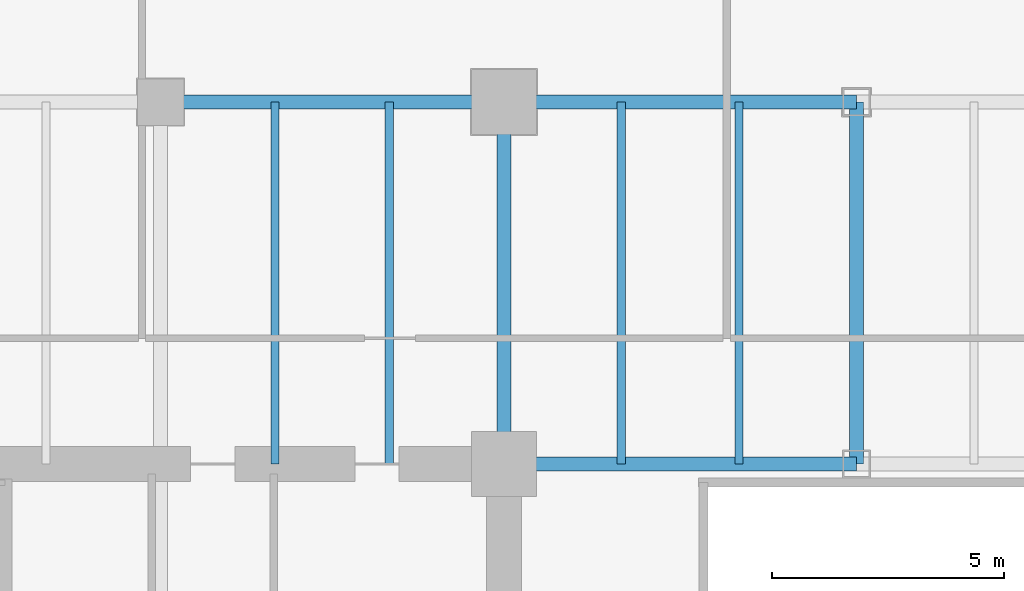
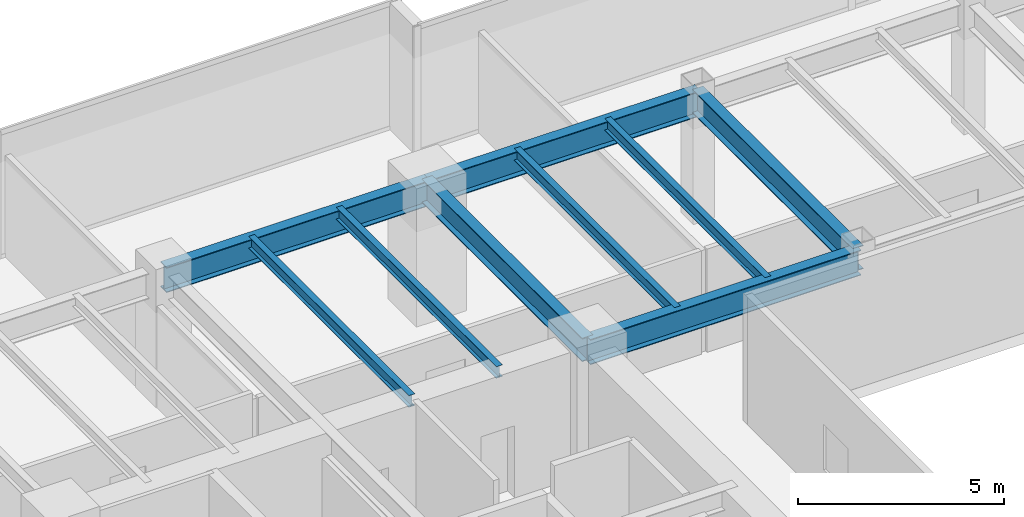
# One storey, part 13 of 36: 9 beams.
"""IFC4 building model written with IfcOpenShell, lengths in metres."""

import ifcopenshell
import ifcopenshell.guid

model = None  # the IFC model being written
_history = None  # IfcOwnerHistory: only IFC2X3 demands one
_inside = {}  # id of a spatial element -> (the spatial element, [elements in it])
_under = {}  # id of a project, library or spatial element -> (it, [spatial elements below it])
_declared = {}  # id of a project -> (the project, [libraries it declares])
_typed = {}  # id of a type object -> (the type object, [elements of that type])
_made_of = {}  # id of a material, layer set ... -> (it, [elements and type objects made of it])


def new_model(schema):
    """Start an empty IFC model of exactly this schema.

    Asked for "IFC4X3", IfcOpenShell would pick the latest addendum, in which some entities
    have other attributes; the version numbers below select the first issue.
    IFC2X3 requires an IfcOwnerHistory on every rooted entity: one is made here for all.
    """
    global model, _history
    if schema == "IFC4X3":
        model = ifcopenshell.file(schema_version=(4, 3, 0, 0))
    else:
        model = ifcopenshell.file(schema=schema)
    _inside.clear()
    _under.clear()
    _declared.clear()
    _typed.clear()
    _made_of.clear()
    _history = None
    if model.schema == "IFC2X3":
        org = make("IfcOrganization", Name="unknown")
        user = make(
            "IfcPersonAndOrganization",
            ThePerson=make("IfcPerson", FamilyName="unknown"),
            TheOrganization=org,
        )
        app = make(
            "IfcApplication",
            ApplicationDeveloper=org,
            Version="unknown",
            ApplicationFullName="unknown",
            ApplicationIdentifier="unknown",
        )
        _history = make(
            "IfcOwnerHistory",
            OwningUser=user,
            OwningApplication=app,
            ChangeAction="ADDED",
            CreationDate=0,
        )
    return model


def make(cls, **values):
    """One entity of the class cls with the attributes given. An attribute that is None is left unset."""
    return model.create_entity(
        cls, **{name: value for name, value in values.items() if value is not None}
    )


def rooted(cls, **values):
    """An entity with a GlobalId (a new one), such as an element, a storey or a relation."""
    return make(cls, GlobalId=ifcopenshell.guid.new(), OwnerHistory=_history, **values)


def si_unit(unit_type, name, prefix=None):
    """IfcSIUnit, for example si_unit("LENGTHUNIT", "METRE", prefix="MILLI")."""
    return make("IfcSIUnit", UnitType=unit_type, Prefix=prefix, Name=name)


def assignment(units):
    """IfcUnitAssignment: the units of a project."""
    return None if units is None else make("IfcUnitAssignment", Units=units)


def point(xyz):
    """IfcCartesianPoint."""
    return None if xyz is None else make("IfcCartesianPoint", Coordinates=xyz)


def direction(xyz):
    """IfcDirection."""
    return None if xyz is None else make("IfcDirection", DirectionRatios=xyz)


def frame(location, z_axis=None, x_axis=None):
    """IfcAxis2Placement3D, a coordinate frame: its origin and axes. An axis left out is left unset."""
    return make(
        "IfcAxis2Placement3D",
        Location=point(location),
        Axis=direction(z_axis),
        RefDirection=direction(x_axis),
    )


def frame_2d(location, x_axis=None):
    """IfcAxis2Placement2D, a coordinate frame in the plane: its origin and x axis."""
    return make(
        "IfcAxis2Placement2D", Location=point(location), RefDirection=direction(x_axis)
    )


def origin():
    """The frame at (0, 0, 0) with its axes left unset."""
    return frame((0.0, 0.0, 0.0))


def origin_2d():
    """The frame at (0, 0) in the plane with its x axis left unset."""
    return frame_2d((0.0, 0.0))


def place(relative_to, where):
    """IfcLocalPlacement: puts the frame where relative to a parent placement (None: the world)."""
    return make(
        "IfcLocalPlacement", PlacementRelTo=relative_to, RelativePlacement=where
    )


def context(
    kind, dimensions, precision=None, world=None, true_north=None, identifier=None
):
    """IfcGeometricRepresentationContext, for example the 3D "Model" context."""
    return make(
        "IfcGeometricRepresentationContext",
        ContextIdentifier=identifier,
        ContextType=kind,
        CoordinateSpaceDimension=dimensions,
        Precision=precision,
        WorldCoordinateSystem=world,
        TrueNorth=true_north,
    )


def subcontext(parent, identifier, kind, view, scale=None):
    """IfcGeometricRepresentationSubContext, for example "Body" below "Model"."""
    return make(
        "IfcGeometricRepresentationSubContext",
        ContextIdentifier=identifier,
        ContextType=kind,
        ParentContext=parent,
        TargetScale=scale,
        TargetView=view,
    )


def project(units=None, contexts=None):
    """IfcProject with its units and contexts."""
    return rooted(
        "IfcProject",
        Name="project",
        RepresentationContexts=contexts,
        UnitsInContext=assignment(units),
    )


def spatial(cls, under=None, at=None, **own):
    """A site, building, storey or space (cls), placed at a placement, below another one or the project."""
    s = rooted(cls, ObjectPlacement=at, **own)
    if under is not None:
        _under.setdefault(under.id(), (under, []))[1].append(s)
    return s


def profile(cls, at=None, kind="AREA", **sizes):
    """A parametric profile (cls). Its sizes go by their IFC names, for example OverallWidth=200.0."""
    return make(cls, ProfileType=kind, Position=at, **sizes)


def i_section(**sizes):
    """IfcIShapeProfileDef."""
    return profile("IfcIShapeProfileDef", **sizes)


def extrude(swept, where, along, depth):
    """IfcExtrudedAreaSolid: the profile swept, set in the frame where, extruded along a direction by depth."""
    return make(
        "IfcExtrudedAreaSolid",
        SweptArea=swept,
        Position=where,
        ExtrudedDirection=direction(along),
        Depth=depth,
    )


def shape(context_of_items, identifier, shape_type, items):
    """IfcShapeRepresentation: the items that make up one representation, for example the "Body"."""
    return make(
        "IfcShapeRepresentation",
        ContextOfItems=context_of_items,
        RepresentationIdentifier=identifier,
        RepresentationType=shape_type,
        Items=items,
    )


def source(mapping_origin, context_of_items, identifier, shape_type, items):
    """IfcRepresentationMap: a shape defined once, which mapped items show again and again."""
    return make(
        "IfcRepresentationMap",
        MappingOrigin=mapping_origin,
        MappedRepresentation=shape(context_of_items, identifier, shape_type, items),
    )


def transform(
    local_origin,
    x_axis=None,
    y_axis=None,
    z_axis=None,
    scale=None,
    scale2=None,
    scale3=None,
    uniform=True,
):
    """IfcCartesianTransformationOperator3D, or its non-uniform kind. x_axis, y_axis, z_axis: its Axis1, 2, 3."""
    if uniform:
        return make(
            "IfcCartesianTransformationOperator3D",
            Axis1=direction(x_axis),
            Axis2=direction(y_axis),
            LocalOrigin=point(local_origin),
            Scale=scale,
            Axis3=direction(z_axis),
        )
    return make(
        "IfcCartesianTransformationOperator3DnonUniform",
        Axis1=direction(x_axis),
        Axis2=direction(y_axis),
        LocalOrigin=point(local_origin),
        Scale=scale,
        Axis3=direction(z_axis),
        Scale2=scale2,
        Scale3=scale3,
    )


def mapped(mapping_source, mapping_target):
    """IfcMappedItem: shows the shape of a source again, moved by a transform."""
    return make(
        "IfcMappedItem", MappingSource=mapping_source, MappingTarget=mapping_target
    )


def material(Name=None, Category=None):
    """IfcMaterial."""
    return make("IfcMaterial", Name=Name, Category=Category)


def material_profile(
    of_material, cross_section, Name=None, Category=None, Priority=None
):
    """IfcMaterialProfile: a cross section and its material."""
    return make(
        "IfcMaterialProfile",
        Name=Name,
        Material=of_material,
        Profile=cross_section,
        Priority=Priority,
        Category=Category,
    )


def profile_set(profiles, Name=None, composite=None):
    """IfcMaterialProfileSet."""
    return make(
        "IfcMaterialProfileSet",
        Name=Name,
        MaterialProfiles=profiles,
        CompositeProfile=composite,
    )


def made_of(thing, what):
    """Note that an element or type object is made of a material, layer set ...; save() writes the relation."""
    if what is not None:
        _made_of.setdefault(what.id(), (what, []))[1].append(thing)
    return thing


def type_object(cls, material=None, **own):
    """A type object (cls), such as IfcWallType, which elements share."""
    return made_of(rooted(cls, **own), material)


def type_shapes(of_type, sources):
    """Give a type object the sources (RepresentationMaps) that its elements show as mapped items."""
    of_type.RepresentationMaps = sources


def element(
    cls,
    number,
    at=None,
    inside=None,
    cuts=None,
    type_object=None,
    material=None,
    context=None,
    identifier="Body",
    shape_type=None,
    held_by="IfcProductDefinitionShape",
    body=None,
    shapes=None,
    **own,
):
    """One element of the class cls, such as IfcWall. Its Tag is "e" and its number.

    at: its placement. inside: the storey or other place that contains it. cuts: it is an
    opening in that element (IfcRelVoidsElement). A single representation is given by context,
    identifier, shape_type and body (its items); several are given by shapes. held_by: the class
    of the entity that holds the representations. save() writes the other relations.
    """
    e = rooted(cls, Tag="e%d" % number, ObjectPlacement=at, **own)
    if body is not None:
        shapes = [shape(context, identifier, shape_type, body)]
    if shapes is not None:
        e.Representation = make(held_by, Representations=shapes)
    if inside is not None:
        _inside.setdefault(inside.id(), (inside, []))[1].append(e)
    if cuts is not None:
        rooted(
            "IfcRelVoidsElement", RelatingBuildingElement=cuts, RelatedOpeningElement=e
        )
    if type_object is not None:
        _typed.setdefault(type_object.id(), (type_object, []))[1].append(e)
    return made_of(e, material)


def aggregate(whole, parts):
    """IfcRelAggregates: a whole, such as a stair, and the parts it consists of."""
    return rooted("IfcRelAggregates", RelatingObject=whole, RelatedObjects=parts)


def save(model, path):
    """Write the relations noted so far, then the file.

    IfcRelAggregates (storeys below a building ...), IfcRelContainedInSpatialStructure (elements
    in a storey), IfcRelDefinesByType, IfcRelAssociatesMaterial and IfcRelDeclares: one each for
    every whole, place, type object, material and project.
    """
    for whole, parts in _under.values():
        aggregate(whole, parts)
    for where, things in _inside.values():
        rooted(
            "IfcRelContainedInSpatialStructure",
            RelatedElements=things,
            RelatingStructure=where,
        )
    for kind, things in _typed.values():
        rooted("IfcRelDefinesByType", RelatedObjects=things, RelatingType=kind)
    for what, things in _made_of.values():
        rooted("IfcRelAssociatesMaterial", RelatedObjects=things, RelatingMaterial=what)
    for by, libraries in _declared.values():
        rooted("IfcRelDeclares", RelatingContext=by, RelatedDefinitions=libraries)
    model.write(path)


model = new_model("IFC4")

# Units and contexts
model_context = context("Model", 3, precision=1e-05, world=origin(), true_north=direction((0.0, 1.0)))
body_context = subcontext(model_context, "Body", "Model", "MODEL_VIEW")
ifc_project = project(units=[si_unit("LENGTHUNIT", "METRE"), si_unit("AREAUNIT", "SQUARE_METRE"), si_unit("VOLUMEUNIT", "CUBIC_METRE"), si_unit("PLANEANGLEUNIT", "RADIAN"), si_unit("MASSUNIT", "GRAM", prefix="KILO")], contexts=[model_context])

# Site, building, storey
site_placement = place(None, origin())
site = spatial("IfcSite", under=ifc_project, at=site_placement, CompositionType="ELEMENT")
building_placement = place(site_placement, origin())
building = spatial("IfcBuilding", under=site, at=building_placement, Name="Haelvirn Gate Laboratories", CompositionType="ELEMENT")
storey_placement = place(building_placement, frame((0.0, 0.0, 53.89990234375)))
storey = spatial("IfcBuildingStorey", under=building, at=storey_placement, Name="L13", CompositionType="ELEMENT", Elevation=53.89990234375)

# Beams
ifc_material = material(Name="Steel SM355", Category="steel")
ifc_material_profile_1 = material_profile(ifc_material, i_section(OverallWidth=0.300048828125, OverallDepth=0.699951171875, WebThickness=0.012939453125, FlangeThickness=0.02392578125, at=origin_2d()), Name="H-700x300x13x24")
ifc_profile_set_1 = profile_set([ifc_material_profile_1], Name="Steel SM355")
beam_type_1 = type_object("IfcBeamType", Name="BM-G-700", PredefinedType="BEAM", material=ifc_profile_set_1)
shared_shape_1 = source(origin(), body_context, "Body", "SweptSolid", [
    extrude(i_section(OverallWidth=0.300048828125, OverallDepth=0.699951171875, WebThickness=0.012939453125, FlangeThickness=0.02392578125, at=origin_2d()), origin(), (0.0, 0.0, 1.0), 7.800048828125),
])
type_shapes(beam_type_1, [shared_shape_1])
for number, where, z_axis, x_axis, name in (
    (1, (22.199951171875, 33.800048828125, 3.43017578125), (0.0, 1.0, 0.0), (-1.0, 0.0, 0.0), "L13 Frame Girder X22.2 (33.8-41.6)"),
    (2, (29.800048828125, 33.800048828125, 3.43017578125), (0.0, 1.0, 0.0), (-1.0, 0.0, 0.0), "L13 Frame Girder X29.8 (33.8-41.6)"),
):
    element("IfcBeam", number, at=place(storey_placement, frame(where, z_axis=z_axis, x_axis=x_axis)), inside=storey, type_object=beam_type_1, Name=name, PredefinedType="BEAM", context=body_context, shape_type="MappedRepresentation", body=[
        mapped(shared_shape_1, transform((0.0, 0.0, 0.0), scale=1.0)),
    ])
ifc_material_profile_2 = material_profile(ifc_material, i_section(OverallWidth=0.300048828125, OverallDepth=0.75, WebThickness=0.013916015625, FlangeThickness=0.02392578125, at=origin_2d()), Name="H-750x300x14x24")
ifc_profile_set_2 = profile_set([ifc_material_profile_2], Name="Steel SM355")
beam_type_2 = type_object("IfcBeamType", Name="BM-G-750", PredefinedType="BEAM", material=ifc_profile_set_2)
shared_shape_2 = source(origin(), body_context, "Body", "SweptSolid", [
    extrude(i_section(OverallWidth=0.300048828125, OverallDepth=0.75, WebThickness=0.013916015625, FlangeThickness=0.02392578125, at=origin_2d()), origin(), (0.0, 0.0, 1.0), 7.39990234375),
])
beam_placement = place(storey_placement, frame((14.800048828125, 41.60009765625, 3.405029296875), z_axis=(1.0, 0.0, 0.0), x_axis=(0.0, 1.0, 0.0)))
element("IfcBeam", 3, at=beam_placement, inside=storey, type_object=beam_type_2, Name="L13 Primary Girder Y41.6 (14.8-22.2)", PredefinedType="BEAM", context=body_context, shape_type="MappedRepresentation", body=[
    mapped(shared_shape_2, transform((0.0, 0.0, 0.0), scale=1.0)),
])
shared_shape_3 = source(origin(), body_context, "Body", "SweptSolid", [
    extrude(i_section(OverallWidth=0.300048828125, OverallDepth=0.75, WebThickness=0.013916015625, FlangeThickness=0.02392578125, at=origin_2d()), origin(), (0.0, 0.0, 1.0), 7.60009765625),
])
type_shapes(beam_type_2, [shared_shape_2, shared_shape_3])
for number, where, z_axis, x_axis, name in (
    (4, (22.199951171875, 33.800048828125, 3.405029296875), (1.0, 0.0, 0.0), (0.0, 1.0, 0.0), "L13 Primary Girder Y33.8 (22.2-29.8)"),
    (5, (22.199951171875, 41.60009765625, 3.405029296875), (1.0, 0.0, 0.0), (0.0, 1.0, 0.0), "L13 Primary Girder Y41.6 (22.2-29.8)"),
):
    element("IfcBeam", number, at=place(storey_placement, frame(where, z_axis=z_axis, x_axis=x_axis)), inside=storey, type_object=beam_type_2, Name=name, PredefinedType="BEAM", context=body_context, shape_type="MappedRepresentation", body=[
        mapped(shared_shape_3, transform((0.0, 0.0, 0.0), scale=1.0)),
    ])
ifc_material_profile_3 = material_profile(ifc_material, i_section(OverallWidth=0.175048828125, OverallDepth=0.35009765625, WebThickness=0.007080078125, FlangeThickness=0.010986328125, at=origin_2d()), Name="H-350x175x7x11")
ifc_profile_set_3 = profile_set([ifc_material_profile_3], Name="Steel SM355")
beam_type_3 = type_object("IfcBeamType", Name="BM-J-350", PredefinedType="JOIST", material=ifc_profile_set_3)
shared_shape_4 = source(origin(), body_context, "Body", "SweptSolid", [
    extrude(i_section(OverallWidth=0.175048828125, OverallDepth=0.35009765625, WebThickness=0.007080078125, FlangeThickness=0.010986328125, at=origin_2d()), origin(), (0.0, 0.0, 1.0), 7.800048828125),
])
type_shapes(beam_type_3, [shared_shape_4])
for number, where, z_axis, x_axis, name in (
    (6, (17.27001953125, 33.800048828125, 3.60498046875), (0.0, 1.0, 0.0), (-1.0, 0.0, 0.0), "L13 Composite Lab Joist North X17.27"),
    (7, (19.72998046875, 33.800048828125, 3.60498046875), (0.0, 1.0, 0.0), (-1.0, 0.0, 0.0), "L13 Composite Lab Joist North X19.73"),
    (8, (24.72998046875, 33.800048828125, 3.60498046875), (0.0, 1.0, 0.0), (-1.0, 0.0, 0.0), "L13 Composite Lab Joist North X24.73"),
    (9, (27.27001953125, 33.800048828125, 3.60498046875), (0.0, 1.0, 0.0), (-1.0, 0.0, 0.0), "L13 Composite Lab Joist North X27.27"),
):
    element("IfcBeam", number, at=place(storey_placement, frame(where, z_axis=z_axis, x_axis=x_axis)), inside=storey, type_object=beam_type_3, Name=name, PredefinedType="JOIST", context=body_context, shape_type="MappedRepresentation", body=[
        mapped(shared_shape_4, transform((0.0, 0.0, 0.0), scale=1.0)),
    ])

save(model, "model.ifc")
